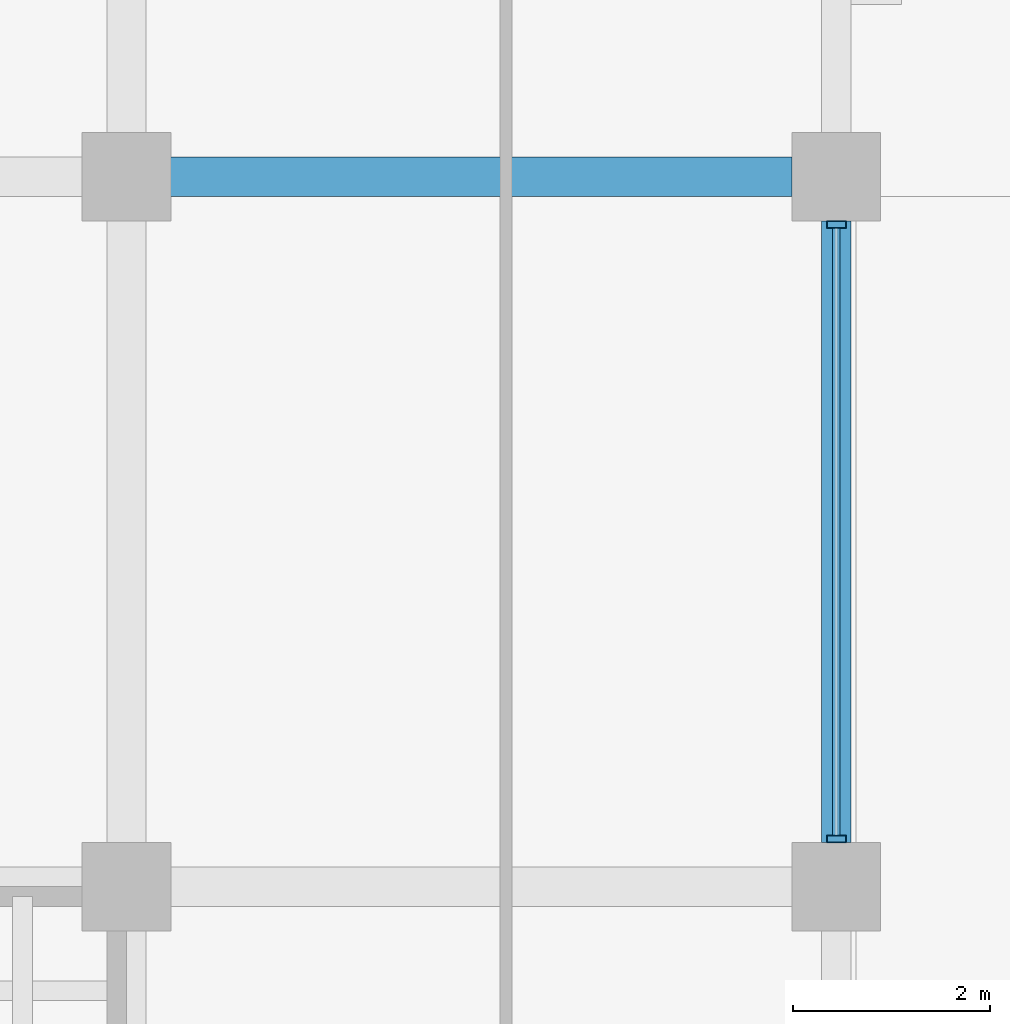
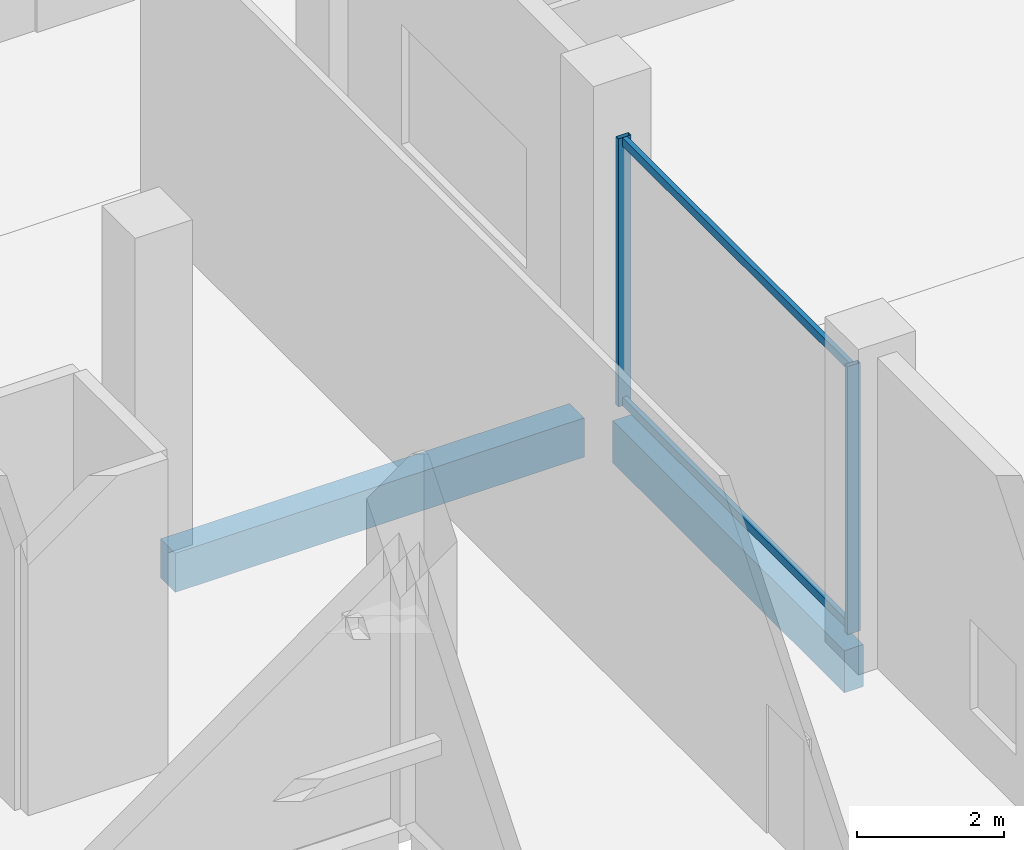
# One storey, part 13 of 90: 4 members, 2 beams, 1 element without a shape of its own.
"""IFC4 building model written with IfcOpenShell, lengths in metres."""

from ifc_helpers import new_model, si_unit, direction, frame, origin, origin_2d, place, context, subcontext, project, spatial, rectangle, hollow_rectangle, extrude, material, layer, layer_set, material_profile, profile_set, type_object, element, aggregate, save


model = new_model("IFC4")

# Units and contexts
model_context = context("Model", 3, precision=1e-05, world=origin(), true_north=direction((0.0, 1.0)))
body_context = subcontext(model_context, "Body", "Model", "MODEL_VIEW")
ifc_project = project(units=[si_unit("LENGTHUNIT", "METRE"), si_unit("AREAUNIT", "SQUARE_METRE"), si_unit("VOLUMEUNIT", "CUBIC_METRE"), si_unit("PLANEANGLEUNIT", "RADIAN"), si_unit("MASSUNIT", "GRAM", prefix="KILO")], contexts=[model_context])

# Site, building, storey
site_placement = place(None, origin())
site = spatial("IfcSite", under=ifc_project, at=site_placement, CompositionType="ELEMENT")
building_placement = place(site_placement, origin())
building = spatial("IfcBuilding", under=site, at=building_placement, Name="Kangsadwip Square Police Headquarters", CompositionType="ELEMENT")
storey_placement = place(building_placement, origin())
storey = spatial("IfcBuildingStorey", under=building, at=storey_placement, Name="L00", CompositionType="ELEMENT", Elevation=0.0)

# Curtain wall, members
ifc_material_1 = material(Name="Thermally broken anodised aluminium AW-6063-T6", Category="aluminium")
ifc_layer = layer(ifc_material_1, 0.159912109375)
ifc_layer_set = layer_set([ifc_layer], Name="Thermally broken anodised aluminium AW-6063-T6")
curtain_wall_type = type_object("IfcCurtainWallType", Name="CourtScreen6310x4450", PredefinedType="USERDEFINED", material=ifc_layer_set)
curtain_wall_placement = place(storey_placement, origin())
curtain_wall = element("IfcCurtainWall", 1, at=curtain_wall_placement, inside=storey, type_object=curtain_wall_type, Name="Curtain Wall CW-L00-0216-0796", ObjectType="GLAZED_SCREEN", PredefinedType="USERDEFINED")
ifc_material_2 = material(Name="Thermally broken anodised aluminium AW-6063-T6", Category="aluminium")
ifc_material_profile_1 = material_profile(ifc_material_2, hollow_rectangle(XDim=0.074951171875, YDim=0.199951171875, WallThickness=0.0048828125, at=origin_2d()), Name="CWM 200X75X5")
ifc_profile_set_1 = profile_set([ifc_material_profile_1], Name="Thermally broken anodised aluminium AW-6063-T6")
member_type_1 = type_object("IfcMemberType", Name="CwMullion180x75", PredefinedType="MULLION", material=ifc_profile_set_1)
member_1_placement = place(storey_placement, frame((21.60009765625, 79.6826171875, 0.0), z_axis=(0.0, 0.0, 1.0), x_axis=(0.0, 1.0, 0.0)))
member_1 = element("IfcMember", 2, at=member_1_placement, type_object=member_type_1, Name="CW-13 mullion 1", PredefinedType="MULLION", context=body_context, shape_type="SweptSolid", body=[
    extrude(hollow_rectangle(XDim=0.074951171875, YDim=0.199951171875, WallThickness=0.0048828125, at=origin_2d()), origin(), (0.0, 0.0, 1.0), 4.449951171875),
])
member_2_placement = place(storey_placement, frame((21.60009765625, 85.91748046875, 0.0), z_axis=(0.0, 0.0, 1.0), x_axis=(0.0, 1.0, 0.0)))
member_2 = element("IfcMember", 3, at=member_2_placement, type_object=member_type_1, Name="CW-13 mullion 2", PredefinedType="MULLION", context=body_context, shape_type="SweptSolid", body=[
    extrude(hollow_rectangle(XDim=0.074951171875, YDim=0.199951171875, WallThickness=0.0048828125, at=origin_2d()), origin(), (0.0, 0.0, 1.0), 4.449951171875),
])
ifc_material_3 = material(Name="Thermally broken anodised aluminium AW-6063-T6", Category="aluminium")
ifc_material_profile_2 = material_profile(ifc_material_3, hollow_rectangle(XDim=0.074951171875, YDim=0.139892578125, WallThickness=0.0048828125, at=origin_2d()), Name="CWT 140X75X5")
ifc_profile_set_2 = profile_set([ifc_material_profile_2], Name="Thermally broken anodised aluminium AW-6063-T6")
member_type_2 = type_object("IfcMemberType", Name="CwTransom160x65", PredefinedType="USERDEFINED", material=ifc_profile_set_2)
member_3_placement = place(storey_placement, frame((21.60009765625, 79.719970703125, 0.070068359375), z_axis=(0.0, 1.0, 0.0), x_axis=(-1.0, 0.0, 0.0)))
member_3 = element("IfcMember", 4, at=member_3_placement, type_object=member_type_2, Name="CW-13 transom 1.1", ObjectType="TRANSOM", PredefinedType="USERDEFINED", context=body_context, shape_type="SweptSolid", body=[
    extrude(hollow_rectangle(XDim=0.074951171875, YDim=0.139892578125, WallThickness=0.0048828125, at=origin_2d()), origin(), (0.0, 0.0, 1.0), 6.159912109375),
])
member_4_placement = place(storey_placement, frame((21.60009765625, 79.719970703125, 4.3798828125), z_axis=(0.0, 1.0, 0.0), x_axis=(-1.0, 0.0, 0.0)))
member_4 = element("IfcMember", 5, at=member_4_placement, type_object=member_type_2, Name="CW-13 transom 1.2", ObjectType="TRANSOM", PredefinedType="USERDEFINED", context=body_context, shape_type="SweptSolid", body=[
    extrude(hollow_rectangle(XDim=0.074951171875, YDim=0.139892578125, WallThickness=0.0048828125, at=origin_2d()), origin(), (0.0, 0.0, 1.0), 6.159912109375),
])
aggregate(curtain_wall, [member_1, member_2, member_3, member_4])

# Beams
ifc_material_4 = material(Name="Concrete M35 (35 MPa)", Category="concrete")
ifc_material_profile_3 = material_profile(ifc_material_4, rectangle(XDim=0.39990234375, YDim=0.64990234375, at=origin_2d()), Name="RC BM 650X400")
ifc_profile_set_3 = profile_set([ifc_material_profile_3], Name="Concrete M35 (35 MPa)")
beam_type_1 = type_object("IfcBeamType", Name="RcBeam650x400", PredefinedType="BEAM", material=ifc_profile_set_3)
beam_1_placement = place(storey_placement, frame((14.72509765625, 86.39990234375, -0.574951171875), z_axis=(1.0, 0.0, 0.0), x_axis=(0.0, 1.0, 0.0)))
element("IfcBeam", 6, at=beam_1_placement, inside=storey, type_object=beam_type_1, Name="Beam BM-L00-X-02-12", PredefinedType="BEAM", context=body_context, shape_type="SweptSolid", body=[
    extrude(rectangle(XDim=0.39990234375, YDim=0.64990234375, at=origin_2d()), origin(), (0.0, 0.0, 1.0), 6.4248046875),
])
ifc_material_5 = material(Name="Concrete M40 (40 MPa)", Category="concrete")
ifc_material_profile_4 = material_profile(ifc_material_5, rectangle(XDim=0.300048828125, YDim=0.699951171875, at=origin_2d()), Name="RC SPN 700X300")
ifc_profile_set_4 = profile_set([ifc_material_profile_4], Name="Concrete M40 (40 MPa)")
beam_type_2 = type_object("IfcBeamType", Name="RcSpandrel700x300", PredefinedType="SPANDREL", material=ifc_profile_set_4)
beam_2_placement = place(storey_placement, frame((21.60009765625, 79.64990234375, -0.60009765625), z_axis=(0.0, 1.0, 0.0), x_axis=(-1.0, 0.0, 0.0)))
element("IfcBeam", 7, at=beam_2_placement, inside=storey, type_object=beam_type_2, Name="Beam BM-L00-Y-03-11", PredefinedType="SPANDREL", context=body_context, shape_type="SweptSolid", body=[
    extrude(rectangle(XDim=0.300048828125, YDim=0.699951171875, at=origin_2d()), origin(), (0.0, 0.0, 1.0), 6.300048828125),
])

save(model, "model.ifc")
